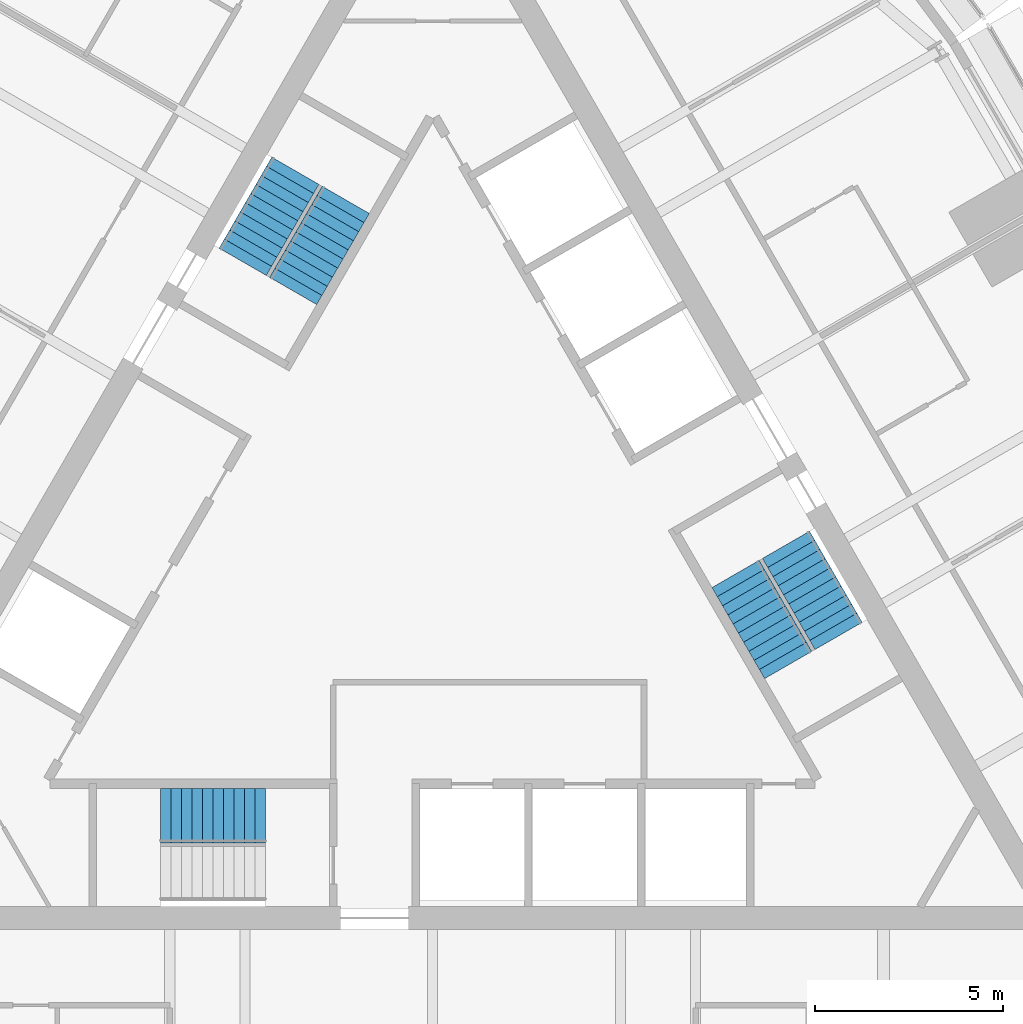
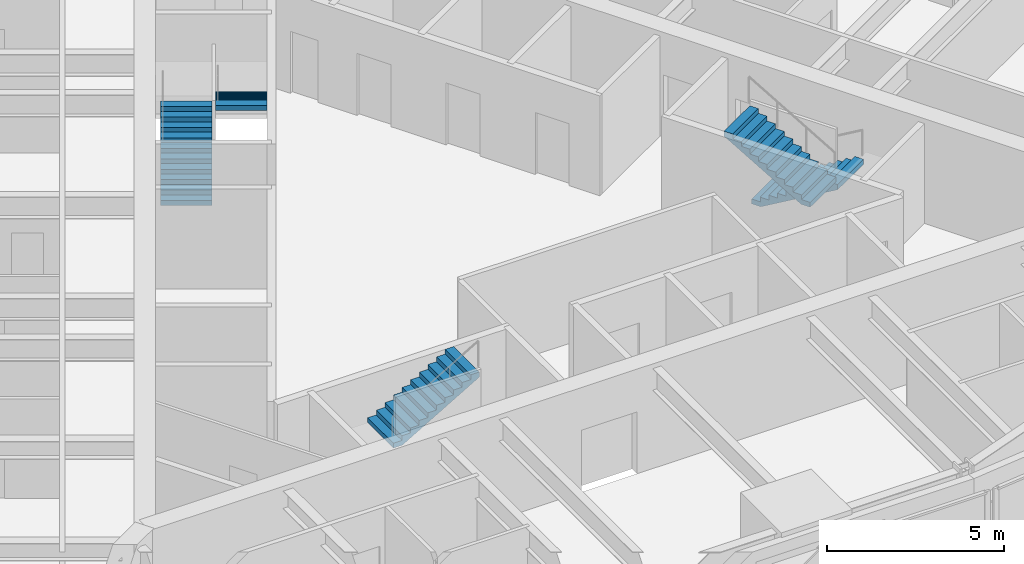
# One storey, part 11 of 12: 5 stair flights, 3 elements without a shape of their own.
"""IFC4 building model written with IfcOpenShell, lengths in metres."""

from ifc_helpers import new_model, si_unit, direction, frame, origin, place, context, subcontext, project, spatial, polyline, outline, extrude, material, type_object, element, aggregate, save


model = new_model("IFC4")

# Units and contexts
model_context = context("Model", 3, precision=1e-05, world=origin(), true_north=direction((0.0, 1.0)))
body_context = subcontext(model_context, "Body", "Model", "MODEL_VIEW")
ifc_project = project(units=[si_unit("LENGTHUNIT", "METRE"), si_unit("AREAUNIT", "SQUARE_METRE"), si_unit("VOLUMEUNIT", "CUBIC_METRE"), si_unit("PLANEANGLEUNIT", "RADIAN"), si_unit("MASSUNIT", "GRAM", prefix="KILO")], contexts=[model_context])

# Site, building, storey
site_placement = place(None, origin())
site = spatial("IfcSite", under=ifc_project, at=site_placement, CompositionType="ELEMENT")
building_placement = place(site_placement, origin())
building = spatial("IfcBuilding", under=site, at=building_placement, Name="Trikona Tower", CompositionType="ELEMENT")
storey_placement = place(building_placement, frame((0.0, 0.0, 257.300048828125)))
storey = spatial("IfcBuildingStorey", under=building, at=storey_placement, Name="L68", CompositionType="ELEMENT", Elevation=257.300048828125)

# Stair, stair flight
ifc_material_1 = material(Name="Concrete f'c 5000 psi", Category="concrete")
stair_type = type_object("IfcStairType", Name="Core stair", PredefinedType="HALF_TURN_STAIR", material=ifc_material_1)
stair_1_placement = place(storey_placement, origin())
stair_1 = element("IfcStair", 1, at=stair_1_placement, inside=storey, type_object=stair_type, Name="Stair A L68", PredefinedType="HALF_TURN_STAIR")
ifc_material_2 = material(Name="Concrete f'c 5000 psi", Category="concrete")
stair_flight_type = type_object("IfcStairFlightType", Name="Core stair flight 1450", PredefinedType="STRAIGHT", material=ifc_material_2)
stair_flight_1_placement = place(storey_placement, frame((-7.25, -6.80126953125, 1.800048828125), z_axis=(0.0, 0.0, 1.0), x_axis=(1.0, 0.0, 0.0)))
stair_flight_1 = element("IfcStairFlight", 2, at=stair_flight_1_placement, type_object=stair_flight_type, Name="ST-A flight 2", NumberOfRisers=11, NumberOfTreads=10, PredefinedType="STRAIGHT", RiserHeight=0.163636, TreadLength=0.28, context=body_context, shape_type="SweptSolid", body=[
    extrude(outline(polyline([(0.0, 0.0), (0.0, 0.16357421875), (0.280029296875, 0.16357421875), (0.280029296875, 0.327392578125), (0.56005859375, 0.327392578125), (0.56005859375, 0.490966796875), (0.840087890625, 0.490966796875), (0.840087890625, 0.654541015625), (1.1201171875, 0.654541015625), (1.1201171875, 0.818115234375), (1.39990234375, 0.818115234375), (1.39990234375, 0.98193359375), (1.679931640625, 0.98193359375), (1.679931640625, 1.1455078125), (1.9599609375, 1.1455078125), (1.9599609375, 1.30908203125), (2.239990234375, 1.30908203125), (2.239990234375, 1.47265625), (2.52001953125, 1.47265625), (2.52001953125, 1.636474609375), (2.800048828125, 1.636474609375), (2.800048828125, 1.800048828125), (2.800048828125, 1.462646484375), (0.297119140625, 0.0), (0.0, 0.0)])), frame((0.0, 0.72509765625, 0.0), z_axis=(0.0, -1.0, 0.0), x_axis=(1.0, 0.0, 0.0)), (0.0, 0.0, 1.0), 1.449951171875),
])
aggregate(stair_1, [stair_flight_1])

# Stair, stair flights
stair_2_placement = place(storey_placement, origin())
stair_2 = element("IfcStair", 3, at=stair_2_placement, inside=storey, type_object=stair_type, Name="Stair B L68", PredefinedType="HALF_TURN_STAIR")
stair_flight_2_placement = place(storey_placement, frame((9.407470703125, 0.408447265625, 0.0), z_axis=(0.0, 0.0, 1.0), x_axis=(0.5, -0.866025403784, 0.0)))
stair_flight_2 = element("IfcStairFlight", 4, at=stair_flight_2_placement, type_object=stair_flight_type, Name="ST-B flight 1", NumberOfRisers=11, NumberOfTreads=10, PredefinedType="STRAIGHT", RiserHeight=0.163636, TreadLength=0.28, context=body_context, shape_type="SweptSolid", body=[
    extrude(outline(polyline([(0.0, 0.0), (0.0, 0.16357421875), (0.280029296875, 0.16357421875), (0.280029296875, 0.327392578125), (0.56005859375, 0.327392578125), (0.56005859375, 0.490966796875), (0.840087890625, 0.490966796875), (0.840087890625, 0.654541015625), (1.1201171875, 0.654541015625), (1.1201171875, 0.818115234375), (1.39990234375, 0.818115234375), (1.39990234375, 0.98193359375), (1.679931640625, 0.98193359375), (1.679931640625, 1.1455078125), (1.9599609375, 1.1455078125), (1.9599609375, 1.30908203125), (2.239990234375, 1.30908203125), (2.239990234375, 1.47265625), (2.52001953125, 1.47265625), (2.52001953125, 1.636474609375), (2.800048828125, 1.636474609375), (2.800048828125, 1.800048828125), (2.800048828125, 1.462646484375), (0.297119140625, 0.0), (0.0, 0.0)])), frame((0.0, 0.72509765625, 0.0), z_axis=(0.0, -1.0, 0.0), x_axis=(1.0, 0.0, 0.0)), (0.0, 0.0, 1.0), 1.449951171875),
])
stair_flight_3_placement = place(storey_placement, frame((9.465087890625, -2.79150390625, 1.800048828125), z_axis=(0.0, 0.0, 1.0), x_axis=(-0.5, 0.866025403784, 0.0)))
stair_flight_3 = element("IfcStairFlight", 5, at=stair_flight_3_placement, type_object=stair_flight_type, Name="ST-B flight 2", NumberOfRisers=11, NumberOfTreads=10, PredefinedType="STRAIGHT", RiserHeight=0.163636, TreadLength=0.28, context=body_context, shape_type="SweptSolid", body=[
    extrude(outline(polyline([(0.0, 0.0), (0.0, 0.16357421875), (0.280029296875, 0.16357421875), (0.280029296875, 0.327392578125), (0.56005859375, 0.327392578125), (0.56005859375, 0.490966796875), (0.840087890625, 0.490966796875), (0.840087890625, 0.654541015625), (1.1201171875, 0.654541015625), (1.1201171875, 0.818115234375), (1.39990234375, 0.818115234375), (1.39990234375, 0.98193359375), (1.679931640625, 0.98193359375), (1.679931640625, 1.1455078125), (1.9599609375, 1.1455078125), (1.9599609375, 1.30908203125), (2.239990234375, 1.30908203125), (2.239990234375, 1.47265625), (2.52001953125, 1.47265625), (2.52001953125, 1.636474609375), (2.800048828125, 1.636474609375), (2.800048828125, 1.800048828125), (2.800048828125, 1.462646484375), (0.297119140625, 0.0), (0.0, 0.0)])), frame((0.0, 0.72509765625, 0.0), z_axis=(0.0, -1.0, 0.0), x_axis=(1.0, 0.0, 0.0)), (0.0, 0.0, 1.0), 1.449951171875),
])
aggregate(stair_2, [stair_flight_2, stair_flight_3])

stair_3_placement = place(storey_placement, origin())
stair_3 = element("IfcStair", 6, at=stair_3_placement, inside=storey, type_object=stair_type, Name="Stair C L68", PredefinedType="HALF_TURN_STAIR")
stair_flight_4_placement = place(storey_placement, frame((-5.057373046875, 7.94287109375, 0.0), z_axis=(0.0, 0.0, 1.0), x_axis=(0.5, 0.866025403784, 0.0)))
stair_flight_4 = element("IfcStairFlight", 7, at=stair_flight_4_placement, type_object=stair_flight_type, Name="ST-C flight 1", NumberOfRisers=11, NumberOfTreads=10, PredefinedType="STRAIGHT", RiserHeight=0.163636, TreadLength=0.28, context=body_context, shape_type="SweptSolid", body=[
    extrude(outline(polyline([(0.0, 0.0), (0.0, 0.16357421875), (0.280029296875, 0.16357421875), (0.280029296875, 0.327392578125), (0.56005859375, 0.327392578125), (0.56005859375, 0.490966796875), (0.840087890625, 0.490966796875), (0.840087890625, 0.654541015625), (1.1201171875, 0.654541015625), (1.1201171875, 0.818115234375), (1.39990234375, 0.818115234375), (1.39990234375, 0.98193359375), (1.679931640625, 0.98193359375), (1.679931640625, 1.1455078125), (1.9599609375, 1.1455078125), (1.9599609375, 1.30908203125), (2.239990234375, 1.30908203125), (2.239990234375, 1.47265625), (2.52001953125, 1.47265625), (2.52001953125, 1.636474609375), (2.800048828125, 1.636474609375), (2.800048828125, 1.800048828125), (2.800048828125, 1.462646484375), (0.297119140625, 0.0), (0.0, 0.0)])), frame((0.0, 0.72509765625, 0.0), z_axis=(0.0, -1.0, 0.0), x_axis=(1.0, 0.0, 0.0)), (0.0, 0.0, 1.0), 1.449951171875),
])
stair_flight_5_placement = place(storey_placement, frame((-2.315185546875, 9.5927734375, 1.800048828125), z_axis=(0.0, 0.0, 1.0), x_axis=(-0.5, -0.866025403784, 0.0)))
stair_flight_5 = element("IfcStairFlight", 8, at=stair_flight_5_placement, type_object=stair_flight_type, Name="ST-C flight 2", NumberOfRisers=11, NumberOfTreads=10, PredefinedType="STRAIGHT", RiserHeight=0.163636, TreadLength=0.28, context=body_context, shape_type="SweptSolid", body=[
    extrude(outline(polyline([(0.0, 0.0), (0.0, 0.16357421875), (0.280029296875, 0.16357421875), (0.280029296875, 0.327392578125), (0.56005859375, 0.327392578125), (0.56005859375, 0.490966796875), (0.840087890625, 0.490966796875), (0.840087890625, 0.654541015625), (1.1201171875, 0.654541015625), (1.1201171875, 0.818115234375), (1.39990234375, 0.818115234375), (1.39990234375, 0.98193359375), (1.679931640625, 0.98193359375), (1.679931640625, 1.1455078125), (1.9599609375, 1.1455078125), (1.9599609375, 1.30908203125), (2.239990234375, 1.30908203125), (2.239990234375, 1.47265625), (2.52001953125, 1.47265625), (2.52001953125, 1.636474609375), (2.800048828125, 1.636474609375), (2.800048828125, 1.800048828125), (2.800048828125, 1.462646484375), (0.297119140625, 0.0), (0.0, 0.0)])), frame((0.0, 0.72509765625, 0.0), z_axis=(0.0, -1.0, 0.0), x_axis=(1.0, 0.0, 0.0)), (0.0, 0.0, 1.0), 1.449951171875),
])
aggregate(stair_3, [stair_flight_4, stair_flight_5])

save(model, "model.ifc")
